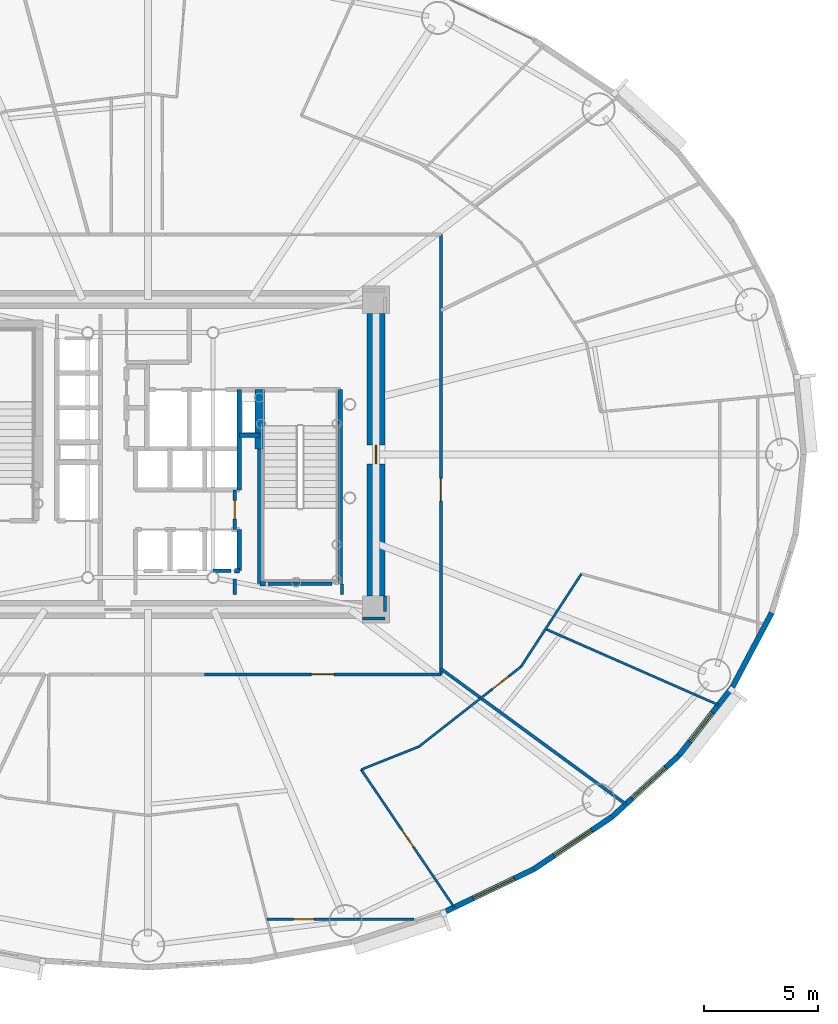
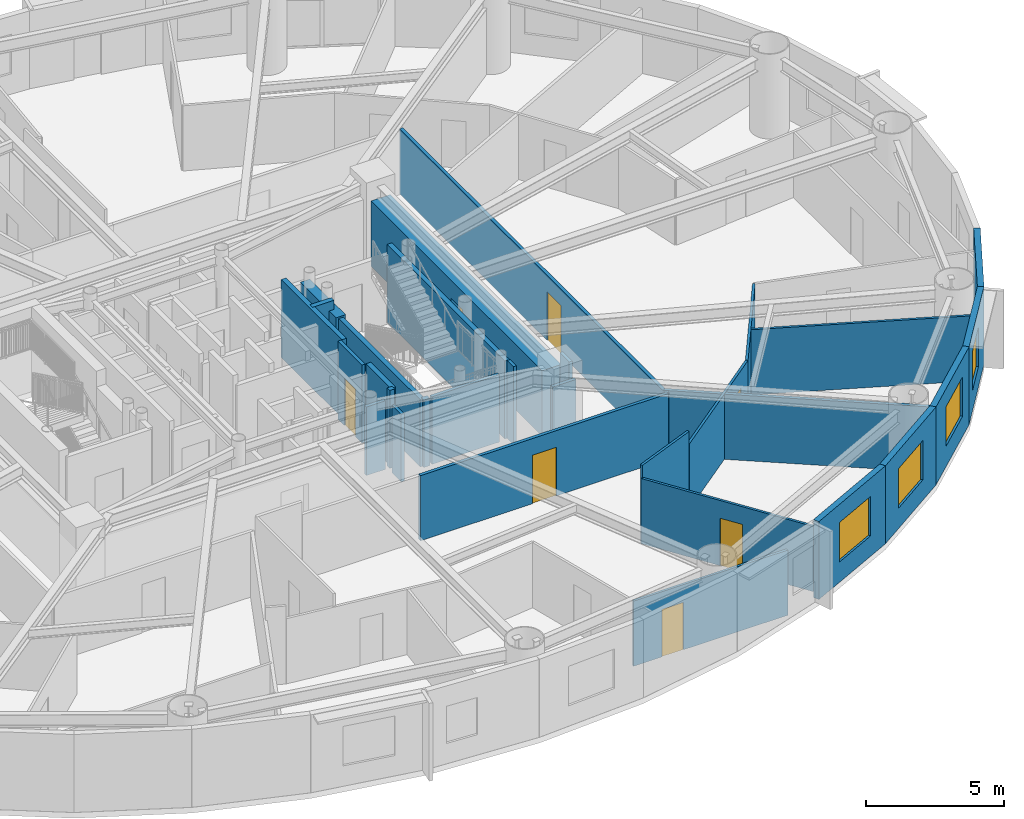
# One storey, part 9 of 17: 30 walls, 7 doors, 4 windows, 11 openings.
"""IFC4 building model written with IfcOpenShell, lengths in metres."""

from ifc_helpers import new_model, si_unit, direction, frame, frame_2d, origin, origin_2d, place, context, subcontext, project, spatial, rectangle, extrude, source, transform, mapped, material, layer, layer_set, type_object, element, fill, save


model = new_model("IFC4")

# Units and contexts
model_context = context("Model", 3, precision=1e-05, world=origin(), true_north=direction((0.0, 1.0)))
body_context = subcontext(model_context, "Body", "Model", "MODEL_VIEW")
ifc_project = project(units=[si_unit("LENGTHUNIT", "METRE"), si_unit("AREAUNIT", "SQUARE_METRE"), si_unit("VOLUMEUNIT", "CUBIC_METRE"), si_unit("PLANEANGLEUNIT", "RADIAN"), si_unit("MASSUNIT", "GRAM", prefix="KILO")], contexts=[model_context])

# Site, building, storey
site_placement = place(None, origin())
site = spatial("IfcSite", under=ifc_project, at=site_placement, CompositionType="ELEMENT")
building_placement = place(site_placement, origin())
building = spatial("IfcBuilding", under=site, at=building_placement, Name="Linh Dai School and Residence Tower", CompositionType="ELEMENT")
storey_placement = place(building_placement, frame((0.0, 0.0, 142.199951171875)))
storey = spatial("IfcBuildingStorey", under=building, at=storey_placement, Name="L34", CompositionType="ELEMENT", Elevation=142.199951171875)

# Wall, opening, window
ifc_material_1 = material(Name="Precast Concrete B45 (C35/45)", Category="concrete")
ifc_layer_1 = layer(ifc_material_1, 0.239990234375)
ifc_layer_set_1 = layer_set([ifc_layer_1], Name="Precast Concrete B45 (C35/45)")
wall_type_1 = type_object("IfcWallType", Name="EW-TC-240", PredefinedType="SOLIDWALL", material=ifc_layer_set_1)
wall_1_placement = place(storey_placement, frame((52.92529296875, 8.800537109375, 0.0), z_axis=(0.0, 0.0, 1.0), x_axis=(-0.901589935876, -0.432591709962, 0.0)))
wall_1 = element("IfcWall", 1, at=wall_1_placement, inside=storey, type_object=wall_type_1, Name="L34 Terracotta Exterior Wall 34", PredefinedType="SOLIDWALL", context=body_context, shape_type="SweptSolid", body=[
    extrude(rectangle(XDim=4.271728515625, YDim=0.239990234375, at=frame_2d((2.1357421875, 0.0))), origin(), (0.0, 0.0, 1.0), 3.449951171875),
])
opening_1_placement = place(wall_1_placement, frame((0.94873046875, 0.0, 0.89990234375)))
opening_1 = element("IfcOpeningElement", 2, at=opening_1_placement, cuts=wall_1, Name="Opening W1", PredefinedType="OPENING", context=body_context, shape_type="SweptSolid", body=[
    extrude(rectangle(XDim=2.0, YDim=1.75, at=origin_2d()), frame((1.0, 0.1298828125, 0.875), z_axis=(0.0, -1.0, 0.0), x_axis=(1.0, 0.0, 0.0)), (0.0, 0.0, 1.0), 0.260009765625),
])
ifc_material_2 = material(Name="Double Low-E Insulated Glazing", Category="glass")
window_type_1 = type_object("IfcWindowType", Name="WN-RES-2000x1750", PartitioningType="DOUBLE_PANEL_VERTICAL", PredefinedType="WINDOW", material=ifc_material_2)
shared_shape_1 = source(origin(), body_context, "Body", "SweptSolid", [
    extrude(rectangle(XDim=2.0, YDim=1.75, at=origin_2d()), frame((1.0, 0.030029296875, 0.875), z_axis=(0.0, -1.0, 0.0), x_axis=(1.0, 0.0, 0.0)), (0.0, 0.0, 1.0), 0.06005859375),
])
window_1_placement = place(opening_1_placement, origin())
window_1 = element("IfcWindow", 3, at=window_1_placement, inside=storey, type_object=window_type_1, Name="L34 Exterior Window 34.1", OverallHeight=1.75, OverallWidth=2.0, PartitioningType="DOUBLE_PANEL_VERTICAL", PredefinedType="WINDOW", context=body_context, shape_type="MappedRepresentation", body=[
    mapped(shared_shape_1, transform((0.0, 0.0, 0.0), x_axis=(1.0, 0.0, 0.0), y_axis=(0.0, 1.0, 0.0), z_axis=(0.0, 0.0, 1.0), scale=1.0)),
])
fill(opening_1, window_1)

wall_2_placement = place(storey_placement, frame((56.3583984375, 11.0966796875, 0.0), z_axis=(0.0, 0.0, 1.0), x_axis=(-0.831221811447, -0.555940914284, 0.0)))
wall_2 = element("IfcWall", 4, at=wall_2_placement, inside=storey, type_object=wall_type_1, Name="L34 Terracotta Exterior Wall 35", PredefinedType="SOLIDWALL", context=body_context, shape_type="SweptSolid", body=[
    extrude(rectangle(XDim=4.130126953125, YDim=0.239990234375, at=frame_2d((2.06494140625, 0.0))), origin(), (0.0, 0.0, 1.0), 3.449951171875),
])
opening_2_placement = place(wall_2_placement, frame((1.065185546875, 0.0, 0.89990234375)))
opening_2 = element("IfcOpeningElement", 5, at=opening_2_placement, cuts=wall_2, Name="Opening W1", PredefinedType="OPENING", context=body_context, shape_type="SweptSolid", body=[
    extrude(rectangle(XDim=2.0, YDim=1.75, at=origin_2d()), frame((1.0, 0.1298828125, 0.875), z_axis=(0.0, -1.0, 0.0), x_axis=(1.0, 0.0, 0.0)), (0.0, 0.0, 1.0), 0.260009765625),
])
window_2_placement = place(opening_2_placement, origin())
window_2 = element("IfcWindow", 6, at=window_2_placement, inside=storey, type_object=window_type_1, Name="L34 Exterior Window 35.1", OverallHeight=1.75, OverallWidth=2.0, PartitioningType="DOUBLE_PANEL_VERTICAL", PredefinedType="WINDOW", context=body_context, shape_type="MappedRepresentation", body=[
    mapped(shared_shape_1, transform((0.0, 0.0, 0.0), x_axis=(1.0, 0.0, 0.0), y_axis=(0.0, 1.0, 0.0), z_axis=(0.0, 0.0, 1.0), scale=1.0)),
])
fill(opening_2, window_2)

wall_3_placement = place(storey_placement, frame((59.2890625, 13.783447265625, 0.0), z_axis=(0.0, 0.0, 1.0), x_axis=(-0.737113356241, -0.675769117414, 0.0)))
wall_3 = element("IfcWall", 7, at=wall_3_placement, inside=storey, type_object=wall_type_1, Name="L34 Terracotta Exterior Wall 36", PredefinedType="SOLIDWALL", context=body_context, shape_type="SweptSolid", body=[
    extrude(rectangle(XDim=3.975830078125, YDim=0.239990234375, at=frame_2d((1.98779296875, 0.0))), origin(), (0.0, 0.0, 1.0), 3.449951171875),
])
opening_3_placement = place(wall_3_placement, frame((0.78271484375, 0.0, 0.89990234375)))
opening_3 = element("IfcOpeningElement", 8, at=opening_3_placement, cuts=wall_3, Name="Opening W1", PredefinedType="OPENING", context=body_context, shape_type="SweptSolid", body=[
    extrude(rectangle(XDim=2.0, YDim=1.75, at=origin_2d()), frame((1.0, 0.1298828125, 0.875), z_axis=(0.0, -1.0, 0.0), x_axis=(1.0, 0.0, 0.0)), (0.0, 0.0, 1.0), 0.260009765625),
])
window_3_placement = place(opening_3_placement, origin())
window_3 = element("IfcWindow", 9, at=window_3_placement, inside=storey, type_object=window_type_1, Name="L34 Exterior Window 36.1", OverallHeight=1.75, OverallWidth=2.0, PartitioningType="DOUBLE_PANEL_VERTICAL", PredefinedType="WINDOW", context=body_context, shape_type="MappedRepresentation", body=[
    mapped(shared_shape_1, transform((0.0, 0.0, 0.0), x_axis=(1.0, 0.0, 0.0), y_axis=(0.0, 1.0, 0.0), z_axis=(0.0, 0.0, 1.0), scale=1.0)),
])
fill(opening_3, window_3)

wall_4_placement = place(storey_placement, frame((61.645263671875, 16.79443359375, 0.0), z_axis=(0.0, 0.0, 1.0), x_axis=(-0.616272103517, -0.787533297345, 0.0)))
wall_4 = element("IfcWall", 10, at=wall_4_placement, inside=storey, type_object=wall_type_1, Name="L34 Terracotta Exterior Wall 37", PredefinedType="SOLIDWALL", context=body_context, shape_type="SweptSolid", body=[
    extrude(rectangle(XDim=3.8232421875, YDim=0.239990234375, at=frame_2d((1.91162109375, 0.0))), origin(), (0.0, 0.0, 1.0), 3.449951171875),
])
opening_4_placement = place(wall_4_placement, frame((1.430419921875, 0.0, 0.89990234375)))
opening_4 = element("IfcOpeningElement", 11, at=opening_4_placement, cuts=wall_4, Name="Opening W2", PredefinedType="OPENING", context=body_context, shape_type="SweptSolid", body=[
    extrude(rectangle(XDim=1.60009765625, YDim=1.75, at=origin_2d()), frame((0.800048828125, 0.1298828125, 0.875), z_axis=(0.0, -1.0, 0.0), x_axis=(1.0, 0.0, 0.0)), (0.0, 0.0, 1.0), 0.260009765625),
])
window_type_2 = type_object("IfcWindowType", Name="WN-RES-1600x1750", PartitioningType="DOUBLE_PANEL_VERTICAL", PredefinedType="WINDOW", material=ifc_material_2)
shared_shape_2 = source(origin(), body_context, "Body", "SweptSolid", [
    extrude(rectangle(XDim=1.60009765625, YDim=1.75, at=origin_2d()), frame((0.800048828125, 0.030029296875, 0.875), z_axis=(0.0, -1.0, 0.0), x_axis=(1.0, 0.0, 0.0)), (0.0, 0.0, 1.0), 0.06005859375),
])
window_4_placement = place(opening_4_placement, origin())
window_4 = element("IfcWindow", 12, at=window_4_placement, inside=storey, type_object=window_type_2, Name="L34 Exterior Window 37.1", OverallHeight=1.75, OverallWidth=1.60009765625, PartitioningType="DOUBLE_PANEL_VERTICAL", PredefinedType="WINDOW", context=body_context, shape_type="MappedRepresentation", body=[
    mapped(shared_shape_2, transform((0.0, 0.0, 0.0), x_axis=(1.0, 0.0, 0.0), y_axis=(0.0, 1.0, 0.0), z_axis=(0.0, 0.0, 1.0), scale=1.0)),
])
fill(opening_4, window_4)

# Wall
wall_5_placement = place(storey_placement, frame((63.3701171875, 20.054931640625, 0.0), z_axis=(0.0, 0.0, 1.0), x_axis=(-0.467614004126, -0.883932770716, 0.0)))
element("IfcWall", 13, at=wall_5_placement, inside=storey, type_object=wall_type_1, Name="L34 Terracotta Exterior Wall 38", PredefinedType="SOLIDWALL", context=body_context, shape_type="SweptSolid", body=[
    extrude(rectangle(XDim=3.688720703125, YDim=0.239990234375, at=frame_2d((1.84423828125, 0.0))), origin(), (0.0, 0.0, 1.0), 3.449951171875),
])

# Wall, opening, door
ifc_material_3 = material(Name="Autoclaved Aerated Concrete Blockwork", Category="masonry")
ifc_layer_2 = layer(ifc_material_3, 0.135009765625)
ifc_layer_set_2 = layer_set([ifc_layer_2], Name="Autoclaved Aerated Concrete Blockwork")
wall_type_2 = type_object("IfcWallType", Name="IW-CORR-135-EI90", PredefinedType="PARTITIONING", material=ifc_layer_set_2)
wall_6_placement = place(storey_placement, frame((38.47705078125, 17.35009765625, 0.0), z_axis=(0.0, 0.0, 1.0), x_axis=(1.0, 0.0, 0.0)))
wall_6 = element("IfcWall", 14, at=wall_6_placement, inside=storey, type_object=wall_type_2, Name="L34 Interior Partition Wall 059", PredefinedType="PARTITIONING", context=body_context, shape_type="SweptSolid", body=[
    extrude(rectangle(XDim=10.373046875, YDim=0.135009765625, at=frame_2d((5.1865234375, 0.0))), origin(), (0.0, 0.0, 1.0), 2.885009765625),
])
opening_5_placement = place(wall_6_placement, frame((4.6865234375, 0.0, 0.0)))
opening_5 = element("IfcOpeningElement", 15, at=opening_5_placement, cuts=wall_6, Name="Opening D03", PredefinedType="OPENING", context=body_context, shape_type="SweptSolid", body=[
    extrude(rectangle(XDim=1.0, YDim=2.14990234375, at=origin_2d()), frame((0.5, 0.07763671875, 1.074951171875), z_axis=(0.0, -1.0, 0.0), x_axis=(1.0, 0.0, 0.0)), (0.0, 0.0, 1.0), 0.155029296875),
])
ifc_material_4 = material(Name="Fire-Rated Solid Timber Entrance Door", Category="wood")
door_type_1 = type_object("IfcDoorType", Name="DR-FLAT-1000x2150-FD60S", OperationType="NOTDEFINED", PredefinedType="DOOR", material=ifc_material_4)
shared_shape_3 = source(origin(), body_context, "Body", "SweptSolid", [
    extrude(rectangle(XDim=1.0, YDim=2.14990234375, at=origin_2d()), frame((0.5, 0.02490234375, 1.074951171875), z_axis=(0.0, -1.0, 0.0), x_axis=(1.0, 0.0, 0.0)), (0.0, 0.0, 1.0), 0.050048828125),
])
door_1_placement = place(opening_5_placement, origin())
door_1 = element("IfcDoor", 16, at=door_1_placement, inside=storey, type_object=door_type_1, Name="L34 U3402 Apartment Entrance Door", OperationType="SINGLE_SWING_RIGHT", OverallHeight=2.14990234375, OverallWidth=1.0, PredefinedType="DOOR", context=body_context, shape_type="MappedRepresentation", body=[
    mapped(shared_shape_3, transform((0.0, 0.0, 0.0), x_axis=(1.0, 0.0, 0.0), y_axis=(0.0, 1.0, 0.0), z_axis=(0.0, 0.0, 1.0), scale=1.0)),
])
fill(opening_5, door_1)

wall_7_placement = place(storey_placement, frame((39.800048828125, 23.699951171875, 0.0), z_axis=(0.0, 0.0, 1.0), x_axis=(0.0, 1.0, 0.0)))
wall_7 = element("IfcWall", 17, at=wall_7_placement, inside=storey, type_object=wall_type_2, Name="L34 Interior Partition Wall 063", PredefinedType="PARTITIONING", context=body_context, shape_type="SweptSolid", body=[
    extrude(rectangle(XDim=1.75, YDim=0.135009765625, at=frame_2d((0.875, 0.0))), origin(), (0.0, 0.0, 1.0), 3.449951171875),
])
opening_6_placement = place(wall_7_placement, frame((0.465087890625, 0.0, 0.0)))
opening_6 = element("IfcOpeningElement", 18, at=opening_6_placement, cuts=wall_7, Name="Opening D06", PredefinedType="OPENING", context=body_context, shape_type="SweptSolid", body=[
    extrude(rectangle(XDim=0.820068359375, YDim=2.10009765625, at=origin_2d()), frame((0.41015625, 0.07763671875, 1.050048828125), z_axis=(0.0, -1.0, 0.0), x_axis=(1.0, 0.0, 0.0)), (0.0, 0.0, 1.0), 0.155029296875),
])
ifc_material_5 = material(Name="Moisture-Resistant Timber Bathroom Door", Category="wood")
door_type_2 = type_object("IfcDoorType", Name="DR-WET-820x2100", OperationType="NOTDEFINED", PredefinedType="DOOR", material=ifc_material_5)
shared_shape_4 = source(origin(), body_context, "Body", "SweptSolid", [
    extrude(rectangle(XDim=0.820068359375, YDim=2.10009765625, at=origin_2d()), frame((0.41015625, 0.02490234375, 1.050048828125), z_axis=(0.0, -1.0, 0.0), x_axis=(1.0, 0.0, 0.0)), (0.0, 0.0, 1.0), 0.050048828125),
])
door_2_placement = place(opening_6_placement, origin())
door_2 = element("IfcDoor", 19, at=door_2_placement, inside=storey, type_object=door_type_2, Name="L34 East Linen Store Door", OperationType="SINGLE_SWING_LEFT", OverallHeight=2.10009765625, OverallWidth=0.820068359375, PredefinedType="DOOR", context=body_context, shape_type="MappedRepresentation", body=[
    mapped(shared_shape_4, transform((0.0, 0.0, 0.0), x_axis=(1.0, 0.0, 0.0), y_axis=(0.0, 1.0, 0.0), z_axis=(0.0, 0.0, 1.0), scale=1.0)),
])
fill(opening_6, door_2)

wall_8_placement = place(storey_placement, frame((48.85009765625, 17.35009765625, 0.0), z_axis=(0.0, 0.0, 1.0), x_axis=(0.0, 1.0, 0.0)))
wall_8 = element("IfcWall", 20, at=wall_8_placement, inside=storey, type_object=wall_type_2, Name="L34 Interior Partition Wall 079", PredefinedType="PARTITIONING", context=body_context, shape_type="SweptSolid", body=[
    extrude(rectangle(XDim=19.2998046875, YDim=0.135009765625, at=frame_2d((9.64990234375, 0.0))), origin(), (0.0, 0.0, 1.0), 2.885009765625),
])
opening_7_placement = place(wall_8_placement, frame((7.609130859375, 0.0, 0.0)))
opening_7 = element("IfcOpeningElement", 21, at=opening_7_placement, cuts=wall_8, Name="Opening D03", PredefinedType="OPENING", context=body_context, shape_type="SweptSolid", body=[
    extrude(rectangle(XDim=1.0, YDim=2.14990234375, at=origin_2d()), frame((0.5, 0.07763671875, 1.074951171875), z_axis=(0.0, -1.0, 0.0), x_axis=(1.0, 0.0, 0.0)), (0.0, 0.0, 1.0), 0.155029296875),
])
door_3_placement = place(opening_7_placement, origin())
door_3 = element("IfcDoor", 22, at=door_3_placement, inside=storey, type_object=door_type_1, Name="L34 U3403 Apartment Entrance Door", OperationType="SINGLE_SWING_RIGHT", OverallHeight=2.14990234375, OverallWidth=1.0, PredefinedType="DOOR", context=body_context, shape_type="MappedRepresentation", body=[
    mapped(shared_shape_3, transform((0.0, 0.0, 0.0), x_axis=(1.0, 0.0, 0.0), y_axis=(0.0, 1.0, 0.0), z_axis=(0.0, 0.0, 1.0), scale=1.0)),
])
fill(opening_7, door_3)

# Walls
wall_9_placement = place(storey_placement, frame((48.85009765625, 17.59521484375, 0.0), z_axis=(0.0, 0.0, 1.0), x_axis=(0.806958414, -0.590608261096, 0.0)))
element("IfcWall", 23, at=wall_9_placement, inside=storey, type_object=wall_type_2, Name="L34 Interior Partition Wall 080", PredefinedType="PARTITIONING", context=body_context, shape_type="SweptSolid", body=[
    extrude(rectangle(XDim=10.0634765625, YDim=0.135009765625, at=frame_2d((5.03173828125, 0.0))), origin(), (0.0, 0.0, 1.0), 2.885009765625),
])
wall_10_placement = place(storey_placement, frame((44.080078125, 21.330078125, 0.0), z_axis=(0.0, 0.0, 1.0), x_axis=(-1.0, 0.0, 0.0)))
element("IfcWall", 24, at=wall_10_placement, inside=storey, type_object=wall_type_2, Name="L34 Interior Partition Wall 092", PredefinedType="PARTITIONING", context=body_context, shape_type="SweptSolid", body=[
    extrude(rectangle(XDim=2.820068359375, YDim=0.135009765625, at=frame_2d((1.41015625, 0.0))), origin(), (0.0, 0.0, 1.0), 2.985107421875),
])
wall_11_placement = place(storey_placement, frame((39.639892578125, 21.89990234375, 0.0), z_axis=(0.0, 0.0, 1.0), x_axis=(-1.0, 0.0, 0.0)))
element("IfcWall", 25, at=wall_11_placement, inside=storey, type_object=wall_type_2, Name="L34 Interior Partition Wall 095", PredefinedType="PARTITIONING", context=body_context, shape_type="SweptSolid", body=[
    extrude(rectangle(XDim=0.7998046875, YDim=0.135009765625, at=frame_2d((0.39990234375, 0.0))), origin(), (0.0, 0.0, 1.0), 3.03515625),
])
wall_12_placement = place(storey_placement, frame((39.800048828125, 20.860107421875, 0.0), z_axis=(0.0, 0.0, 1.0), x_axis=(0.0, 1.0, 0.0)))
element("IfcWall", 26, at=wall_12_placement, inside=storey, type_object=wall_type_2, Name="L34 Interior Partition Wall 097", PredefinedType="PARTITIONING", context=body_context, shape_type="SweptSolid", body=[
    extrude(rectangle(XDim=0.679931640625, YDim=0.135009765625, at=frame_2d((0.33984375, 0.0))), origin(), (0.0, 0.0, 1.0), 2.985107421875),
])
wall_13_placement = place(storey_placement, frame((44.5, 20.860107421875, 0.0), z_axis=(0.0, 0.0, 1.0), x_axis=(0.0, 1.0, 0.0)))
element("IfcWall", 27, at=wall_13_placement, inside=storey, type_object=wall_type_2, Name="L34 Interior Partition Wall 099", PredefinedType="PARTITIONING", context=body_context, shape_type="SweptSolid", body=[
    extrude(rectangle(XDim=0.4599609375, YDim=0.135009765625, at=frame_2d((0.22998046875, 0.0))), origin(), (0.0, 0.0, 1.0), 3.449951171875),
])
wall_14_placement = place(storey_placement, frame((45.409912109375, 19.800048828125, 0.0), z_axis=(0.0, 0.0, 1.0), x_axis=(1.0, 0.0, 0.0)))
element("IfcWall", 28, at=wall_14_placement, inside=storey, type_object=wall_type_2, Name="L34 Interior Partition Wall 109", PredefinedType="PARTITIONING", context=body_context, shape_type="SweptSolid", body=[
    extrude(rectangle(XDim=0.989990234375, YDim=0.135009765625, at=frame_2d((0.4951171875, 0.0))), origin(), (0.0, 0.0, 1.0), 2.885009765625),
])
wall_15_placement = place(storey_placement, frame((46.39990234375, 20.107421875, 0.0), z_axis=(0.0, 0.0, 1.0), x_axis=(0.0, 1.0, 0.0)))
element("IfcWall", 29, at=wall_15_placement, inside=storey, type_object=wall_type_2, Name="L34 Interior Partition Wall 110", PredefinedType="PARTITIONING", context=body_context, shape_type="SweptSolid", body=[
    extrude(rectangle(XDim=0.6826171875, YDim=0.135009765625, at=frame_2d((0.34130859375, 0.0))), origin(), (0.0, 0.0, 1.0), 3.449951171875),
])
ifc_material_6 = material(Name="Concrete B45 (C35/45)", Category="concrete")
ifc_layer_3 = layer(ifc_material_6, 0.199951171875)
ifc_layer_set_3 = layer_set([ifc_layer_3], Name="Concrete B45 (C35/45)")
wall_type_3 = type_object("IfcWallType", Name="IW-SHAFT-200-EI120", PredefinedType="PARTITIONING", material=ifc_layer_set_3)
wall_16_placement = place(storey_placement, frame((39.800048828125, 21.89990234375, 0.0), z_axis=(0.0, 0.0, 1.0), x_axis=(1.0, 0.0, 0.0)))
element("IfcWall", 30, at=wall_16_placement, inside=storey, type_object=wall_type_3, Name="L34 Interior Partition Wall 062", PredefinedType="PARTITIONING", context=body_context, shape_type="SweptSolid", body=[
    extrude(rectangle(XDim=0.199951171875, YDim=0.199951171875, at=frame_2d((0.10009765625, 0.0))), origin(), (0.0, 0.0, 1.0), 3.449951171875),
])
wall_17_placement = place(storey_placement, frame((40.0, 21.89990234375, 0.0), z_axis=(0.0, 0.0, 1.0), x_axis=(0.0, 1.0, 0.0)))
element("IfcWall", 31, at=wall_17_placement, inside=storey, type_object=wall_type_3, Name="L34 Interior Partition Wall 065", PredefinedType="PARTITIONING", context=body_context, shape_type="SweptSolid", body=[
    extrude(rectangle(XDim=1.800048828125, YDim=0.199951171875, at=frame_2d((0.89990234375, 0.0))), origin(), (0.0, 0.0, 1.0), 3.449951171875),
])
wall_18_placement = place(storey_placement, frame((40.0, 25.449951171875, 0.0), z_axis=(0.0, 0.0, 1.0), x_axis=(0.0, 1.0, 0.0)))
element("IfcWall", 32, at=wall_18_placement, inside=storey, type_object=wall_type_3, Name="L34 Interior Partition Wall 066", PredefinedType="PARTITIONING", context=body_context, shape_type="SweptSolid", body=[
    extrude(rectangle(XDim=4.400146484375, YDim=0.199951171875, at=frame_2d((2.2001953125, 0.0))), origin(), (0.0, 0.0, 1.0), 3.449951171875),
])
wall_19_placement = place(storey_placement, frame((40.0, 27.85009765625, 0.0), z_axis=(0.0, 0.0, 1.0), x_axis=(1.0, 0.0, 0.0)))
element("IfcWall", 33, at=wall_19_placement, inside=storey, type_object=wall_type_3, Name="L34 Interior Partition Wall 067", PredefinedType="PARTITIONING", context=body_context, shape_type="SweptSolid", body=[
    extrude(rectangle(XDim=0.89990234375, YDim=0.199951171875, at=frame_2d((0.449951171875, 0.0))), origin(), (0.0, 0.0, 1.0), 3.449951171875),
])
wall_20_placement = place(storey_placement, frame((40.89990234375, 21.330078125, 0.0), z_axis=(0.0, 0.0, 1.0), x_axis=(0.0, 1.0, 0.0)))
element("IfcWall", 34, at=wall_20_placement, inside=storey, type_object=wall_type_3, Name="L34 Interior Partition Wall 068", PredefinedType="PARTITIONING", context=body_context, shape_type="SweptSolid", body=[
    extrude(rectangle(XDim=5.909912109375, YDim=0.199951171875, at=frame_2d((2.955078125, 0.0))), origin(), (0.0, 0.0, 1.0), 2.985107421875),
])
wall_21_placement = place(storey_placement, frame((40.89990234375, 21.330078125, 0.0), z_axis=(0.0, 0.0, 1.0), x_axis=(1.0, 0.0, 0.0)))
element("IfcWall", 35, at=wall_21_placement, inside=storey, type_object=wall_type_3, Name="L34 Interior Partition Wall 069", PredefinedType="PARTITIONING", context=body_context, shape_type="SweptSolid", body=[
    extrude(rectangle(XDim=0.25, YDim=0.199951171875, at=frame_2d((0.125, 0.0))), origin(), (0.0, 0.0, 1.0), 2.985107421875),
])
wall_22_placement = place(storey_placement, frame((44.43994140625, 21.330078125, 0.0), z_axis=(0.0, 0.0, 1.0), x_axis=(0.0, 1.0, 0.0)))
element("IfcWall", 36, at=wall_22_placement, inside=storey, type_object=wall_type_3, Name="L34 Interior Partition Wall 073", PredefinedType="PARTITIONING", context=body_context, shape_type="SweptSolid", body=[
    extrude(rectangle(XDim=8.52001953125, YDim=0.199951171875, at=frame_2d((4.260009765625, 0.0))), origin(), (0.0, 0.0, 1.0), 3.449951171875),
])

# Wall, opening, door
ifc_material_7 = material(Name="Gypsum Plasterboard Acoustic Stud Partition", Category="masonry")
ifc_layer_4 = layer(ifc_material_7, 0.10009765625)
ifc_layer_set_4 = layer_set([ifc_layer_4], Name="Gypsum Plasterboard Acoustic Stud Partition")
wall_type_4 = type_object("IfcWallType", Name="IW-UNIT-100", PredefinedType="PARTITIONING", material=ifc_layer_set_4)
wall_23_placement = place(storey_placement, frame((41.207763671875, 6.6025390625, 0.0), z_axis=(0.0, 0.0, 1.0), x_axis=(1.0, 0.0, 0.0)))
wall_23 = element("IfcWall", 37, at=wall_23_placement, inside=storey, type_object=wall_type_4, Name="L34 Interior Partition Wall 070", PredefinedType="PARTITIONING", context=body_context, shape_type="SweptSolid", body=[
    extrude(rectangle(XDim=6.453125, YDim=0.10009765625, at=frame_2d((3.2265625, 0.0))), origin(), (0.0, 0.0, 1.0), 2.885009765625),
])
opening_8_placement = place(wall_23_placement, frame((1.1826171875, 0.0, 0.0)))
opening_8 = element("IfcOpeningElement", 38, at=opening_8_placement, cuts=wall_23, Name="Opening D05", PredefinedType="OPENING", context=body_context, shape_type="SweptSolid", body=[
    extrude(rectangle(XDim=0.89990234375, YDim=2.10009765625, at=origin_2d()), frame((0.449951171875, 0.06005859375, 1.050048828125), z_axis=(0.0, -1.0, 0.0), x_axis=(1.0, 0.0, 0.0)), (0.0, 0.0, 1.0), 0.1201171875),
])
ifc_material_8 = material(Name="Engineered Timber Internal Door", Category="wood")
door_type_3 = type_object("IfcDoorType", Name="DR-INT-900x2100", OperationType="NOTDEFINED", PredefinedType="DOOR", material=ifc_material_8)
shared_shape_5 = source(origin(), body_context, "Body", "SweptSolid", [
    extrude(rectangle(XDim=0.89990234375, YDim=2.10009765625, at=origin_2d()), frame((0.449951171875, 0.02490234375, 1.050048828125), z_axis=(0.0, -1.0, 0.0), x_axis=(1.0, 0.0, 0.0)), (0.0, 0.0, 1.0), 0.050048828125),
])
door_4_placement = place(opening_8_placement, origin())
door_4 = element("IfcDoor", 39, at=door_4_placement, inside=storey, type_object=door_type_3, Name="L34 Apartment U3402 Kitchen Door", OperationType="SINGLE_SWING_LEFT", OverallHeight=2.10009765625, OverallWidth=0.89990234375, PredefinedType="DOOR", context=body_context, shape_type="MappedRepresentation", body=[
    mapped(shared_shape_5, transform((0.0, 0.0, 0.0), x_axis=(1.0, 0.0, 0.0), y_axis=(0.0, 1.0, 0.0), z_axis=(0.0, 0.0, 1.0), scale=1.0)),
])
fill(opening_8, door_4)

# Wall
wall_24_placement = place(storey_placement, frame((45.349609375, 13.17041015625, 0.0), z_axis=(0.0, 0.0, 1.0), x_axis=(0.928802486491, 0.370575149044, 0.0)))
element("IfcWall", 40, at=wall_24_placement, inside=storey, type_object=wall_type_4, Name="L34 Interior Partition Wall 074", PredefinedType="PARTITIONING", context=body_context, shape_type="SweptSolid", body=[
    extrude(rectangle(XDim=2.736083984375, YDim=0.10009765625, at=frame_2d((1.3681640625, 0.0))), origin(), (0.0, 0.0, 1.0), 3.449951171875),
])

# Wall, opening, door
wall_25_placement = place(storey_placement, frame((45.349609375, 13.17041015625, 0.0), z_axis=(0.0, 0.0, 1.0), x_axis=(0.560082631059, -0.828436748573, 0.0)))
wall_25 = element("IfcWall", 41, at=wall_25_placement, inside=storey, type_object=wall_type_4, Name="L34 Interior Partition Wall 075", PredefinedType="PARTITIONING", context=body_context, shape_type="SweptSolid", body=[
    extrude(rectangle(XDim=7.301025390625, YDim=0.10009765625, at=frame_2d((3.650390625, 0.0))), origin(), (0.0, 0.0, 1.0), 2.885009765625),
])
opening_9_placement = place(wall_25_placement, frame((3.200439453125, 0.0, 0.0)))
opening_9 = element("IfcOpeningElement", 42, at=opening_9_placement, cuts=wall_25, Name="Opening D05", PredefinedType="OPENING", context=body_context, shape_type="SweptSolid", body=[
    extrude(rectangle(XDim=0.89990234375, YDim=2.10009765625, at=origin_2d()), frame((0.449951171875, 0.06005859375, 1.050048828125), z_axis=(0.0, -1.0, 0.0), x_axis=(1.0, 0.0, 0.0)), (0.0, 0.0, 1.0), 0.1201171875),
])
door_5_placement = place(opening_9_placement, origin())
door_5 = element("IfcDoor", 43, at=door_5_placement, inside=storey, type_object=door_type_3, Name="L34 Apartment U3402 Principal Bedroom 3 Door", OperationType="SINGLE_SWING_LEFT", OverallHeight=2.10009765625, OverallWidth=0.89990234375, PredefinedType="DOOR", context=body_context, shape_type="MappedRepresentation", body=[
    mapped(shared_shape_5, transform((0.0, 0.0, 0.0), x_axis=(1.0, 0.0, 0.0), y_axis=(0.0, 1.0, 0.0), z_axis=(0.0, 0.0, 1.0), scale=1.0)),
])
fill(opening_9, door_5)

wall_26_placement = place(storey_placement, frame((47.890869140625, 14.184326171875, 0.0), z_axis=(0.0, 0.0, 1.0), x_axis=(0.787333679705, 0.616527109544, 0.0)))
wall_26 = element("IfcWall", 44, at=wall_26_placement, inside=storey, type_object=wall_type_4, Name="L34 Interior Partition Wall 076", PredefinedType="PARTITIONING", context=body_context, shape_type="SweptSolid", body=[
    extrude(rectangle(XDim=5.6845703125, YDim=0.10009765625, at=frame_2d((2.84228515625, 0.0))), origin(), (0.0, 0.0, 1.0), 2.885009765625),
])
opening_10_placement = place(wall_26_placement, frame((4.09619140625, 0.0, 0.0)))
opening_10 = element("IfcOpeningElement", 45, at=opening_10_placement, cuts=wall_26, Name="Opening D05", PredefinedType="OPENING", context=body_context, shape_type="SweptSolid", body=[
    extrude(rectangle(XDim=0.89990234375, YDim=2.10009765625, at=origin_2d()), frame((0.449951171875, 0.06005859375, 1.050048828125), z_axis=(0.0, -1.0, 0.0), x_axis=(1.0, 0.0, 0.0)), (0.0, 0.0, 1.0), 0.1201171875),
])
door_6_placement = place(opening_10_placement, origin())
door_6 = element("IfcDoor", 46, at=door_6_placement, inside=storey, type_object=door_type_3, Name="L34 Apartment U3403 Principal Bedroom 1 Door", OperationType="SINGLE_SWING_LEFT", OverallHeight=2.10009765625, OverallWidth=0.89990234375, PredefinedType="DOOR", context=body_context, shape_type="MappedRepresentation", body=[
    mapped(shared_shape_5, transform((0.0, 0.0, 0.0), x_axis=(1.0, 0.0, 0.0), y_axis=(0.0, 1.0, 0.0), z_axis=(0.0, 0.0, 1.0), scale=1.0)),
])
fill(opening_10, door_6)

# Walls
wall_27_placement = place(storey_placement, frame((52.366455078125, 17.68896484375, 0.0), z_axis=(0.0, 0.0, 1.0), x_axis=(0.545413870093, 0.838166874978, 0.0)))
element("IfcWall", 47, at=wall_27_placement, inside=storey, type_object=wall_type_4, Name="L34 Interior Partition Wall 083", PredefinedType="PARTITIONING", context=body_context, shape_type="SweptSolid", body=[
    extrude(rectangle(XDim=4.859375, YDim=0.10009765625, at=frame_2d((2.4296875, 0.0))), origin(), (0.0, 0.0, 1.0), 2.885009765625),
])
wall_28_placement = place(storey_placement, frame((53.442138671875, 19.342041015625, 0.0), z_axis=(0.0, 0.0, 1.0), x_axis=(0.91563160904, -0.402018353469, 0.0)))
element("IfcWall", 48, at=wall_28_placement, inside=storey, type_object=wall_type_4, Name="L34 Interior Partition Wall 085", PredefinedType="PARTITIONING", context=body_context, shape_type="SweptSolid", body=[
    extrude(rectangle(XDim=8.293701171875, YDim=0.10009765625, at=frame_2d((4.14697265625, 0.0))), origin(), (0.0, 0.0, 1.0), 2.885009765625),
])
ifc_layer_5 = layer(ifc_material_6, 0.39990234375)
ifc_layer_set_5 = layer_set([ifc_layer_5], Name="Concrete B45 (C35/45)")
wall_type_5 = type_object("IfcWallType", Name="WL-CORE400", PredefinedType="SHEAR", material=ifc_layer_set_5)
wall_29_placement = place(storey_placement, frame((40.89990234375, 27.25, 0.0), z_axis=(0.0, 0.0, 1.0), x_axis=(0.0, 1.0, 0.0)))
element("IfcWall", 49, at=wall_29_placement, inside=storey, type_object=wall_type_5, Name="L34 Internal Core Shear Wall IE", PredefinedType="SHEAR", context=body_context, shape_type="SweptSolid", body=[
    extrude(rectangle(XDim=2.60009765625, YDim=0.39990234375, at=frame_2d((1.300048828125, 0.0))), origin(), (0.0, 0.0, 1.0), 3.050048828125),
])

# Wall, opening, door
ifc_material_9 = material(Name="Concrete B60 (C50/60)", Category="concrete")
ifc_layer_6 = layer(ifc_material_9, 0.800048828125)
ifc_layer_set_6 = layer_set([ifc_layer_6], Name="Concrete B60 (C50/60)")
wall_type_6 = type_object("IfcWallType", Name="WL-CORE800", PredefinedType="SHEAR", material=ifc_layer_set_6)
wall_30_placement = place(storey_placement, frame((46.0, 33.199951171875, 0.0), z_axis=(0.0, 0.0, 1.0), x_axis=(0.0, -1.0, 0.0)))
wall_30 = element("IfcWall", 50, at=wall_30_placement, inside=storey, type_object=wall_type_6, Name="L34 Central Core Shear Wall E", PredefinedType="SHEAR", context=body_context, shape_type="SweptSolid", body=[
    extrude(rectangle(XDim=12.39990234375, YDim=0.800048828125, at=frame_2d((6.199951171875, 0.0))), origin(), (0.0, 0.0, 1.0), 2.900146484375),
])
opening_11_placement = place(wall_30_placement, frame((5.7900390625, 0.0, 0.0)))
opening_11 = element("IfcOpeningElement", 51, at=opening_11_placement, cuts=wall_30, Name="Opening D06", PredefinedType="OPENING", context=body_context, shape_type="SweptSolid", body=[
    extrude(rectangle(XDim=0.820068359375, YDim=2.10009765625, at=origin_2d()), frame((0.41015625, 0.41015625, 1.050048828125), z_axis=(0.0, -1.0, 0.0), x_axis=(1.0, 0.0, 0.0)), (0.0, 0.0, 1.0), 0.820068359375),
])
door_7_placement = place(opening_11_placement, origin())
door_7 = element("IfcDoor", 52, at=door_7_placement, inside=storey, type_object=door_type_2, Name="L34 Firefighting Lobby Door", OperationType="SINGLE_SWING_LEFT", OverallHeight=2.10009765625, OverallWidth=0.820068359375, PredefinedType="DOOR", context=body_context, shape_type="MappedRepresentation", body=[
    mapped(shared_shape_4, transform((0.0, 0.0, 0.0), x_axis=(1.0, 0.0, 0.0), y_axis=(0.0, 1.0, 0.0), z_axis=(0.0, 0.0, 1.0), scale=1.0)),
])
fill(opening_11, door_7)

save(model, "model.ifc")
